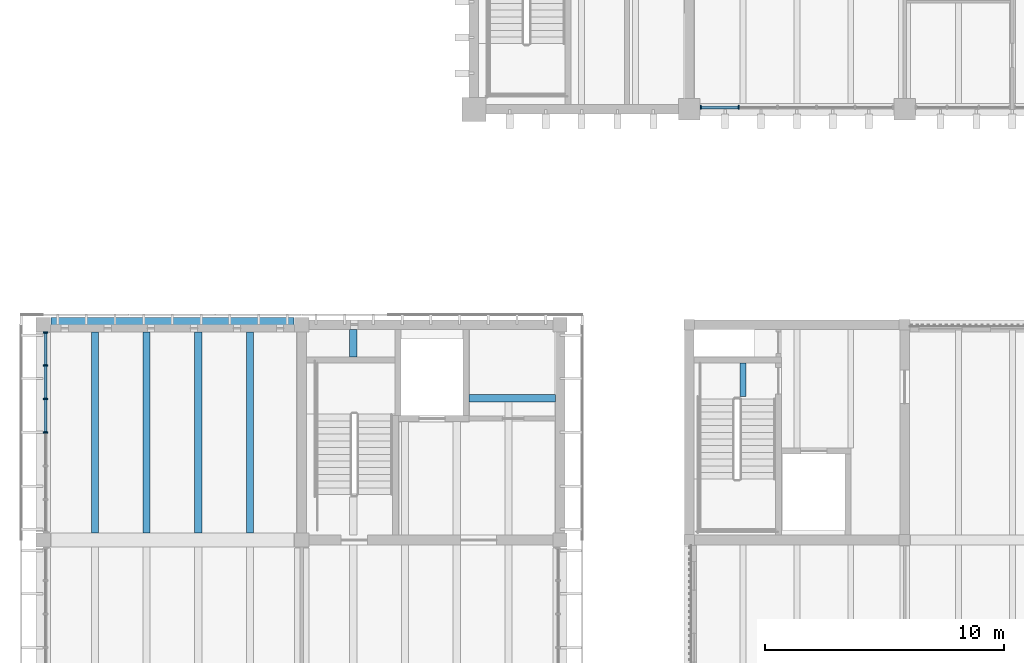
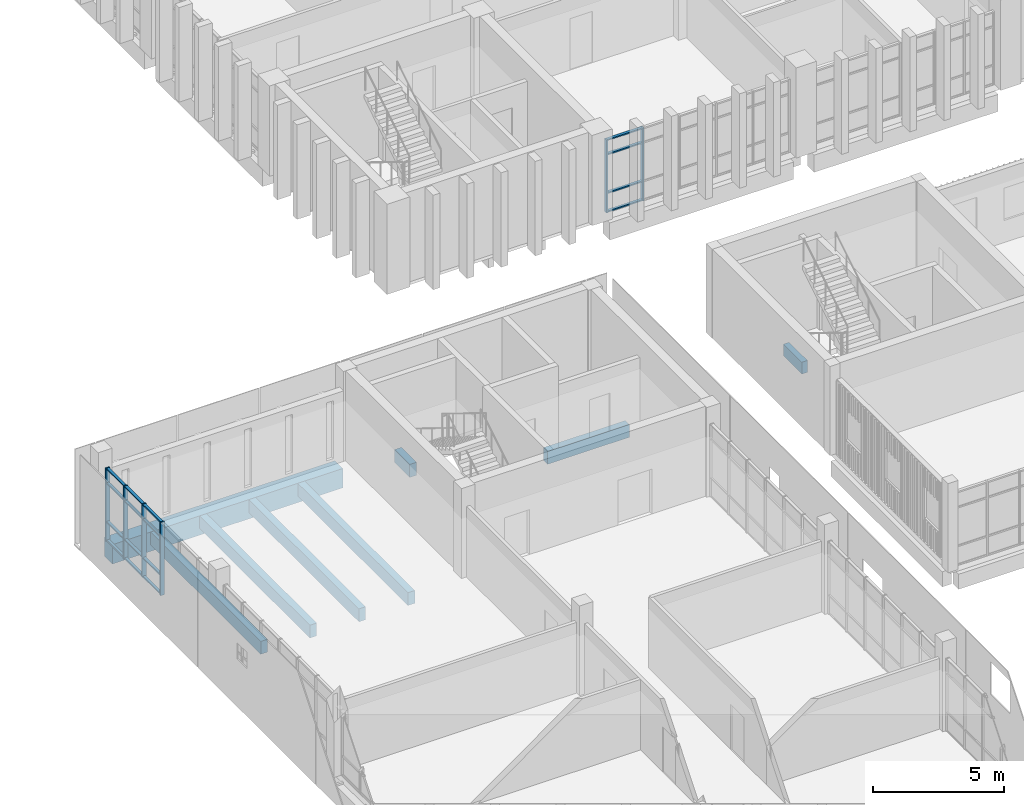
# One storey, part 29 of 88: 22 members, 8 beams, 2 elements without a shape of their own.
"""IFC4 building model written with IfcOpenShell, lengths in metres."""

from ifc_helpers import new_model, si_unit, direction, frame, origin, origin_2d, place, context, subcontext, project, spatial, rectangle, extrude, material, material_profile, profile_set, type_object, element, aggregate, save


model = new_model("IFC4")

# Units and contexts
model_context = context("Model", 3, precision=1e-05, world=origin(), true_north=direction((0.0, 1.0)))
body_context = subcontext(model_context, "Body", "Model", "MODEL_VIEW")
ifc_project = project(units=[si_unit("LENGTHUNIT", "METRE"), si_unit("AREAUNIT", "SQUARE_METRE"), si_unit("VOLUMEUNIT", "CUBIC_METRE"), si_unit("PLANEANGLEUNIT", "RADIAN"), si_unit("MASSUNIT", "GRAM", prefix="KILO")], contexts=[model_context])

# Site, building, storey
site_placement = place(None, origin())
site = spatial("IfcSite", under=ifc_project, at=site_placement, CompositionType="ELEMENT")
building_placement = place(site_placement, origin())
building = spatial("IfcBuilding", under=site, at=building_placement, Name="Merrow Basin Faculty of Sciences", CompositionType="ELEMENT")
storey_placement = place(building_placement, frame((0.0, 0.0, 9.0)))
storey = spatial("IfcBuildingStorey", under=building, at=storey_placement, Name="L02", CompositionType="ELEMENT", Elevation=9.0)

# Curtain wall, members
ifc_material_1 = material(Name="Aluminium alloy 6063", Category="aluminium")
curtain_wall_type_1 = type_object("IfcCurtainWallType", Name="Unitised curtain wall 160", PredefinedType="NOTDEFINED", material=ifc_material_1)
curtain_wall_1_placement = place(storey_placement, origin())
curtain_wall_1 = element("IfcCurtainWall", 1, at=curtain_wall_1_placement, inside=storey, type_object=curtain_wall_type_1, Name="S curtain wall L02 1", PredefinedType="NOTDEFINED")
ifc_material_2 = material(Name="Aluminium alloy 6063", Category="aluminium")
ifc_material_profile_1 = material_profile(ifc_material_2, rectangle(XDim=0.159912109375, YDim=0.06005859375, at=origin_2d()))
ifc_profile_set_1 = profile_set([ifc_material_profile_1], Name="Aluminium alloy 6063")
member_type_1 = type_object("IfcMemberType", Name="Aluminium mullion 60x160", PredefinedType="MULLION", material=ifc_profile_set_1)
member_1_placement = place(storey_placement, frame((27.47998046875, 142.080078125, 0.0), z_axis=(0.0, 0.0, 1.0), x_axis=(0.0, 1.0, 0.0)))
member_1 = element("IfcMember", 2, at=member_1_placement, type_object=member_type_1, Name="CW3 mullion 1", PredefinedType="MULLION", context=body_context, shape_type="SweptSolid", body=[
    extrude(rectangle(XDim=0.159912109375, YDim=0.06005859375, at=origin_2d()), origin(), (0.0, 0.0, 1.0), 3.39990234375),
])
member_2_placement = place(storey_placement, frame((29.070068359375, 142.080078125, 0.0), z_axis=(0.0, 0.0, 1.0), x_axis=(0.0, 1.0, 0.0)))
member_2 = element("IfcMember", 3, at=member_2_placement, type_object=member_type_1, Name="CW3 mullion 2", PredefinedType="MULLION", context=body_context, shape_type="SweptSolid", body=[
    extrude(rectangle(XDim=0.159912109375, YDim=0.06005859375, at=origin_2d()), origin(), (0.0, 0.0, 1.0), 3.39990234375),
])

ifc_material_3 = material(Name="Aluminium alloy 6063", Category="aluminium")
curtain_wall_type_2 = type_object("IfcCurtainWallType", Name="Bar unitised curtain wall 180", PredefinedType="NOTDEFINED", material=ifc_material_3)
curtain_wall_2_placement = place(storey_placement, origin())
curtain_wall_2 = element("IfcCurtainWall", 4, at=curtain_wall_2_placement, inside=storey, type_object=curtain_wall_type_2, Name="West curtain wall L02 7", PredefinedType="NOTDEFINED")
ifc_material_4 = material(Name="Aluminium alloy 6063", Category="aluminium")
ifc_material_profile_2 = material_profile(ifc_material_4, rectangle(XDim=0.179931640625, YDim=0.06005859375, at=origin_2d()))
ifc_profile_set_2 = profile_set([ifc_material_profile_2], Name="Aluminium alloy 6063")
member_type_2 = type_object("IfcMemberType", Name="Aluminium mullion 60x180", PredefinedType="MULLION", material=ifc_profile_set_2)
member_3_placement = place(storey_placement, frame((0.090087890625, 128.5, 0.0), z_axis=(0.0, 0.0, 1.0), x_axis=(-1.0, 0.0, 0.0)))
member_3 = element("IfcMember", 5, at=member_3_placement, type_object=member_type_2, Name="CW1 mullion 4", PredefinedType="MULLION", context=body_context, shape_type="SweptSolid", body=[
    extrude(rectangle(XDim=0.179931640625, YDim=0.06005859375, at=origin_2d()), origin(), (0.0, 0.0, 1.0), 3.39990234375),
])
member_4_placement = place(storey_placement, frame((0.090087890625, 129.89990234375, 0.0), z_axis=(0.0, 0.0, 1.0), x_axis=(-1.0, 0.0, 0.0)))
member_4 = element("IfcMember", 6, at=member_4_placement, type_object=member_type_2, Name="CW1 mullion 5", PredefinedType="MULLION", context=body_context, shape_type="SweptSolid", body=[
    extrude(rectangle(XDim=0.179931640625, YDim=0.06005859375, at=origin_2d()), origin(), (0.0, 0.0, 1.0), 3.39990234375),
])
member_5_placement = place(storey_placement, frame((0.090087890625, 131.300048828125, 0.0), z_axis=(0.0, 0.0, 1.0), x_axis=(-1.0, 0.0, 0.0)))
member_5 = element("IfcMember", 7, at=member_5_placement, type_object=member_type_2, Name="CW1 mullion 6", PredefinedType="MULLION", context=body_context, shape_type="SweptSolid", body=[
    extrude(rectangle(XDim=0.179931640625, YDim=0.06005859375, at=origin_2d()), origin(), (0.0, 0.0, 1.0), 3.39990234375),
])
member_6_placement = place(storey_placement, frame((0.090087890625, 132.669921875, 0.0), z_axis=(0.0, 0.0, 1.0), x_axis=(-1.0, 0.0, 0.0)))
member_6 = element("IfcMember", 8, at=member_6_placement, type_object=member_type_2, Name="CW1 mullion 7", PredefinedType="MULLION", context=body_context, shape_type="SweptSolid", body=[
    extrude(rectangle(XDim=0.179931640625, YDim=0.06005859375, at=origin_2d()), origin(), (0.0, 0.0, 1.0), 3.39990234375),
])
ifc_material_5 = material(Name="Aluminium alloy 6063", Category="aluminium")
ifc_material_profile_3 = material_profile(ifc_material_5, rectangle(XDim=0.1201171875, YDim=0.06005859375, at=origin_2d()))
ifc_profile_set_3 = profile_set([ifc_material_profile_3], Name="Aluminium alloy 6063")
member_type_3 = type_object("IfcMemberType", Name="Aluminium transom 60x120", PredefinedType="USERDEFINED", material=ifc_profile_set_3)
member_7_placement = place(storey_placement, frame((0.090087890625, 128.530029296875, 0.030029296875), z_axis=(0.0, 1.0, 0.0), x_axis=(-1.0, 0.0, 0.0)))
member_7 = element("IfcMember", 9, at=member_7_placement, type_object=member_type_3, Name="CW1 transom 4.1", ObjectType="TRANSOM", PredefinedType="USERDEFINED", context=body_context, shape_type="SweptSolid", body=[
    extrude(rectangle(XDim=0.1201171875, YDim=0.06005859375, at=origin_2d()), origin(), (0.0, 0.0, 1.0), 1.340087890625),
])
member_8_placement = place(storey_placement, frame((0.090087890625, 128.530029296875, 0.89990234375), z_axis=(0.0, 1.0, 0.0), x_axis=(-1.0, 0.0, 0.0)))
member_8 = element("IfcMember", 10, at=member_8_placement, type_object=member_type_3, Name="CW1 transom 4.2", ObjectType="TRANSOM", PredefinedType="USERDEFINED", context=body_context, shape_type="SweptSolid", body=[
    extrude(rectangle(XDim=0.1201171875, YDim=0.06005859375, at=origin_2d()), origin(), (0.0, 0.0, 1.0), 1.340087890625),
])
member_9_placement = place(storey_placement, frame((0.090087890625, 128.530029296875, 2.699951171875), z_axis=(0.0, 1.0, 0.0), x_axis=(-1.0, 0.0, 0.0)))
member_9 = element("IfcMember", 11, at=member_9_placement, type_object=member_type_3, Name="CW1 transom 4.3", ObjectType="TRANSOM", PredefinedType="USERDEFINED", context=body_context, shape_type="SweptSolid", body=[
    extrude(rectangle(XDim=0.1201171875, YDim=0.06005859375, at=origin_2d()), origin(), (0.0, 0.0, 1.0), 1.340087890625),
])
member_10_placement = place(storey_placement, frame((0.090087890625, 128.530029296875, 3.3701171875), z_axis=(0.0, 1.0, 0.0), x_axis=(-1.0, 0.0, 0.0)))
member_10 = element("IfcMember", 12, at=member_10_placement, type_object=member_type_3, Name="CW1 transom 4.4", ObjectType="TRANSOM", PredefinedType="USERDEFINED", context=body_context, shape_type="SweptSolid", body=[
    extrude(rectangle(XDim=0.1201171875, YDim=0.06005859375, at=origin_2d()), origin(), (0.0, 0.0, 1.0), 1.340087890625),
])
member_11_placement = place(storey_placement, frame((0.090087890625, 129.929931640625, 0.030029296875), z_axis=(0.0, 1.0, 0.0), x_axis=(-1.0, 0.0, 0.0)))
member_11 = element("IfcMember", 13, at=member_11_placement, type_object=member_type_3, Name="CW1 transom 5.1", ObjectType="TRANSOM", PredefinedType="USERDEFINED", context=body_context, shape_type="SweptSolid", body=[
    extrude(rectangle(XDim=0.1201171875, YDim=0.06005859375, at=origin_2d()), origin(), (0.0, 0.0, 1.0), 1.340087890625),
])
member_12_placement = place(storey_placement, frame((0.090087890625, 129.929931640625, 0.89990234375), z_axis=(0.0, 1.0, 0.0), x_axis=(-1.0, 0.0, 0.0)))
member_12 = element("IfcMember", 14, at=member_12_placement, type_object=member_type_3, Name="CW1 transom 5.2", ObjectType="TRANSOM", PredefinedType="USERDEFINED", context=body_context, shape_type="SweptSolid", body=[
    extrude(rectangle(XDim=0.1201171875, YDim=0.06005859375, at=origin_2d()), origin(), (0.0, 0.0, 1.0), 1.340087890625),
])
member_13_placement = place(storey_placement, frame((0.090087890625, 129.929931640625, 2.699951171875), z_axis=(0.0, 1.0, 0.0), x_axis=(-1.0, 0.0, 0.0)))
member_13 = element("IfcMember", 15, at=member_13_placement, type_object=member_type_3, Name="CW1 transom 5.3", ObjectType="TRANSOM", PredefinedType="USERDEFINED", context=body_context, shape_type="SweptSolid", body=[
    extrude(rectangle(XDim=0.1201171875, YDim=0.06005859375, at=origin_2d()), origin(), (0.0, 0.0, 1.0), 1.340087890625),
])
member_14_placement = place(storey_placement, frame((0.090087890625, 129.929931640625, 3.3701171875), z_axis=(0.0, 1.0, 0.0), x_axis=(-1.0, 0.0, 0.0)))
member_14 = element("IfcMember", 16, at=member_14_placement, type_object=member_type_3, Name="CW1 transom 5.4", ObjectType="TRANSOM", PredefinedType="USERDEFINED", context=body_context, shape_type="SweptSolid", body=[
    extrude(rectangle(XDim=0.1201171875, YDim=0.06005859375, at=origin_2d()), origin(), (0.0, 0.0, 1.0), 1.340087890625),
])
member_15_placement = place(storey_placement, frame((0.090087890625, 131.330078125, 0.030029296875), z_axis=(0.0, 1.0, 0.0), x_axis=(-1.0, 0.0, 0.0)))
member_15 = element("IfcMember", 17, at=member_15_placement, type_object=member_type_3, Name="CW1 transom 6.1", ObjectType="TRANSOM", PredefinedType="USERDEFINED", context=body_context, shape_type="SweptSolid", body=[
    extrude(rectangle(XDim=0.1201171875, YDim=0.06005859375, at=origin_2d()), origin(), (0.0, 0.0, 1.0), 1.309814453125),
])
member_16_placement = place(storey_placement, frame((0.090087890625, 131.330078125, 0.89990234375), z_axis=(0.0, 1.0, 0.0), x_axis=(-1.0, 0.0, 0.0)))
member_16 = element("IfcMember", 18, at=member_16_placement, type_object=member_type_3, Name="CW1 transom 6.2", ObjectType="TRANSOM", PredefinedType="USERDEFINED", context=body_context, shape_type="SweptSolid", body=[
    extrude(rectangle(XDim=0.1201171875, YDim=0.06005859375, at=origin_2d()), origin(), (0.0, 0.0, 1.0), 1.309814453125),
])
member_17_placement = place(storey_placement, frame((0.090087890625, 131.330078125, 2.699951171875), z_axis=(0.0, 1.0, 0.0), x_axis=(-1.0, 0.0, 0.0)))
member_17 = element("IfcMember", 19, at=member_17_placement, type_object=member_type_3, Name="CW1 transom 6.3", ObjectType="TRANSOM", PredefinedType="USERDEFINED", context=body_context, shape_type="SweptSolid", body=[
    extrude(rectangle(XDim=0.1201171875, YDim=0.06005859375, at=origin_2d()), origin(), (0.0, 0.0, 1.0), 1.309814453125),
])
member_18_placement = place(storey_placement, frame((0.090087890625, 131.330078125, 3.3701171875), z_axis=(0.0, 1.0, 0.0), x_axis=(-1.0, 0.0, 0.0)))
member_18 = element("IfcMember", 20, at=member_18_placement, type_object=member_type_3, Name="CW1 transom 6.4", ObjectType="TRANSOM", PredefinedType="USERDEFINED", context=body_context, shape_type="SweptSolid", body=[
    extrude(rectangle(XDim=0.1201171875, YDim=0.06005859375, at=origin_2d()), origin(), (0.0, 0.0, 1.0), 1.309814453125),
])
aggregate(curtain_wall_2, [member_3, member_4, member_5, member_6, member_7, member_8, member_9, member_10, member_11, member_12, member_13, member_14, member_15, member_16, member_17, member_18])

# Member
member_19_placement = place(storey_placement, frame((27.510009765625, 142.080078125, 0.030029296875), z_axis=(1.0, 0.0, 0.0), x_axis=(0.0, 1.0, 0.0)))
member_19 = element("IfcMember", 21, at=member_19_placement, type_object=member_type_3, Name="CW3 transom 1.1", ObjectType="TRANSOM", PredefinedType="USERDEFINED", context=body_context, shape_type="SweptSolid", body=[
    extrude(rectangle(XDim=0.1201171875, YDim=0.06005859375, at=origin_2d()), origin(), (0.0, 0.0, 1.0), 1.530029296875),
])

member_20_placement = place(storey_placement, frame((27.510009765625, 142.080078125, 0.89990234375), z_axis=(1.0, 0.0, 0.0), x_axis=(0.0, 1.0, 0.0)))
member_20 = element("IfcMember", 22, at=member_20_placement, type_object=member_type_3, Name="CW3 transom 1.2", ObjectType="TRANSOM", PredefinedType="USERDEFINED", context=body_context, shape_type="SweptSolid", body=[
    extrude(rectangle(XDim=0.1201171875, YDim=0.06005859375, at=origin_2d()), origin(), (0.0, 0.0, 1.0), 1.530029296875),
])

member_21_placement = place(storey_placement, frame((27.510009765625, 142.080078125, 2.699951171875), z_axis=(1.0, 0.0, 0.0), x_axis=(0.0, 1.0, 0.0)))
member_21 = element("IfcMember", 23, at=member_21_placement, type_object=member_type_3, Name="CW3 transom 1.3", ObjectType="TRANSOM", PredefinedType="USERDEFINED", context=body_context, shape_type="SweptSolid", body=[
    extrude(rectangle(XDim=0.1201171875, YDim=0.06005859375, at=origin_2d()), origin(), (0.0, 0.0, 1.0), 1.530029296875),
])

member_22_placement = place(storey_placement, frame((27.510009765625, 142.080078125, 3.3701171875), z_axis=(1.0, 0.0, 0.0), x_axis=(0.0, 1.0, 0.0)))
member_22 = element("IfcMember", 24, at=member_22_placement, type_object=member_type_3, Name="CW3 transom 1.4", ObjectType="TRANSOM", PredefinedType="USERDEFINED", context=body_context, shape_type="SweptSolid", body=[
    extrude(rectangle(XDim=0.1201171875, YDim=0.06005859375, at=origin_2d()), origin(), (0.0, 0.0, 1.0), 1.530029296875),
])

aggregate(curtain_wall_1, [member_1, member_2, member_19, member_20, member_21, member_22])

# Beams
ifc_material_6 = material(Name="Concrete C40/50", Category="concrete")
ifc_material_profile_4 = material_profile(ifc_material_6, rectangle(XDim=0.60009765625, YDim=0.89990234375, at=origin_2d()))
ifc_profile_set_4 = profile_set([ifc_material_profile_4], Name="Concrete C40/50")
beam_type_1 = type_object("IfcBeamType", Name="Beam RC600x900 C40/50", PredefinedType="BEAM", material=ifc_profile_set_4)
beam_1_placement = place(storey_placement, frame((0.324951171875, 133.0, -0.75), z_axis=(1.0, 0.0, 0.0), x_axis=(0.0, 1.0, 0.0)))
element("IfcBeam", 25, at=beam_1_placement, inside=storey, type_object=beam_type_1, Name="B1 L02 014", PredefinedType="BEAM", context=body_context, shape_type="SweptSolid", body=[
    extrude(rectangle(XDim=0.60009765625, YDim=0.89990234375, at=origin_2d()), origin(), (0.0, 0.0, 1.0), 10.150146484375),
])
ifc_material_7 = material(Name="Concrete C40/50", Category="concrete")
ifc_material_profile_5 = material_profile(ifc_material_7, rectangle(XDim=0.25, YDim=0.550048828125, at=origin_2d()))
ifc_profile_set_5 = profile_set([ifc_material_profile_5], Name="Concrete C40/50")
beam_type_2 = type_object("IfcBeamType", Name="Commons floor joist RC250x550 C40/50", PredefinedType="BEAM", material=ifc_profile_set_5)
beam_2_placement = place(storey_placement, frame((29.25, 130.0, -0.52490234375), z_axis=(0.0, 1.0, 0.0), x_axis=(-1.0, 0.0, 0.0)))
element("IfcBeam", 26, at=beam_2_placement, inside=storey, type_object=beam_type_2, Name="JC1 L02 045", PredefinedType="BEAM", context=body_context, shape_type="SweptSolid", body=[
    extrude(rectangle(XDim=0.25, YDim=0.550048828125, at=origin_2d()), origin(), (0.0, 0.0, 1.0), 1.39990234375),
])
ifc_material_8 = material(Name="Concrete C40/50", Category="concrete")
ifc_material_profile_6 = material_profile(ifc_material_8, rectangle(XDim=0.300048828125, YDim=0.60009765625, at=origin_2d()))
ifc_profile_set_6 = profile_set([ifc_material_profile_6], Name="Concrete C40/50")
beam_type_3 = type_object("IfcBeamType", Name="Laboratory floor joist RC300x600 C40/50", PredefinedType="BEAM", material=ifc_profile_set_6)
for number, where, z_axis, x_axis, name in (
    (27, (2.159912109375, 124.300048828125, -0.60009765625), (0.0, 1.0, 0.0), (-1.0, 0.0, 0.0), "JL1 L02 063"),
    (28, (4.320068359375, 124.300048828125, -0.60009765625), (0.0, 1.0, 0.0), (-1.0, 0.0, 0.0), "JL1 L02 064"),
    (29, (6.47998046875, 124.300048828125, -0.60009765625), (0.0, 1.0, 0.0), (-1.0, 0.0, 0.0), "JL1 L02 065"),
    (30, (8.639892578125, 124.300048828125, -0.60009765625), (0.0, 1.0, 0.0), (-1.0, 0.0, 0.0), "JL1 L02 066"),
):
    element("IfcBeam", number, at=place(storey_placement, frame(where, z_axis=z_axis, x_axis=x_axis)), inside=storey, type_object=beam_type_3, Name=name, PredefinedType="BEAM", context=body_context, shape_type="SweptSolid", body=[
        extrude(rectangle(XDim=0.300048828125, YDim=0.60009765625, at=origin_2d()), origin(), (0.0, 0.0, 1.0), 8.39990234375),
    ])
beam_3_placement = place(storey_placement, frame((12.9599609375, 131.64990234375, -0.60009765625), z_axis=(0.0, 1.0, 0.0), x_axis=(-1.0, 0.0, 0.0)))
element("IfcBeam", 31, at=beam_3_placement, inside=storey, type_object=beam_type_3, Name="JL1 L02 098", PredefinedType="BEAM", context=body_context, shape_type="SweptSolid", body=[
    extrude(rectangle(XDim=0.300048828125, YDim=0.60009765625, at=origin_2d()), origin(), (0.0, 0.0, 1.0), 1.150146484375),
])
beam_4_placement = place(storey_placement, frame((17.800048828125, 129.925048828125, -0.60009765625), z_axis=(1.0, 0.0, 0.0), x_axis=(0.0, 1.0, 0.0)))
element("IfcBeam", 32, at=beam_4_placement, inside=storey, type_object=beam_type_3, Name="JL1 L02 102", PredefinedType="BEAM", context=body_context, shape_type="SweptSolid", body=[
    extrude(rectangle(XDim=0.300048828125, YDim=0.60009765625, at=origin_2d()), origin(), (0.0, 0.0, 1.0), 3.599853515625),
])

save(model, "model.ifc")
